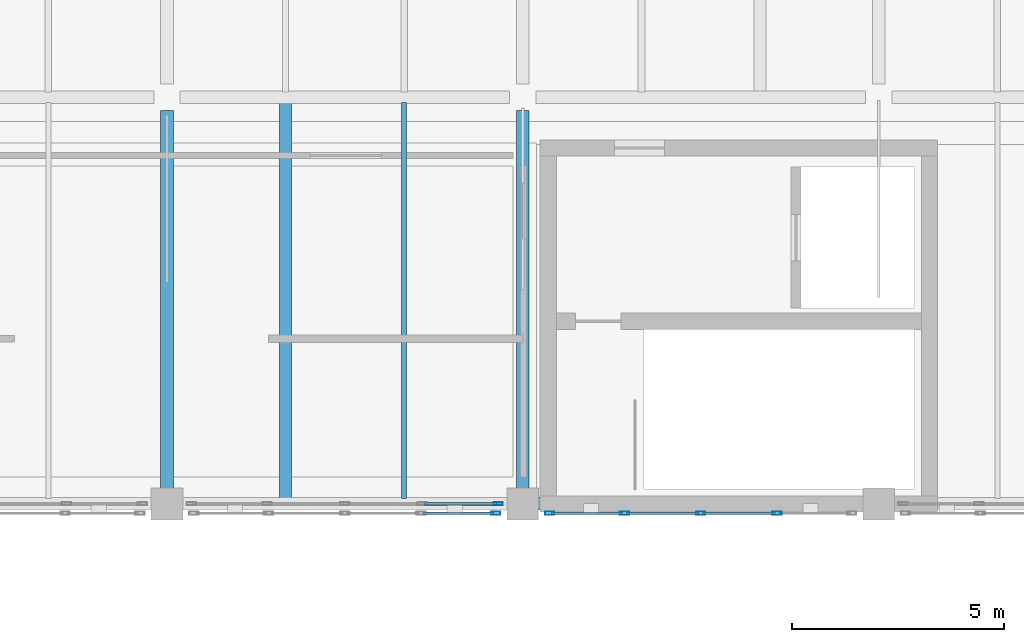
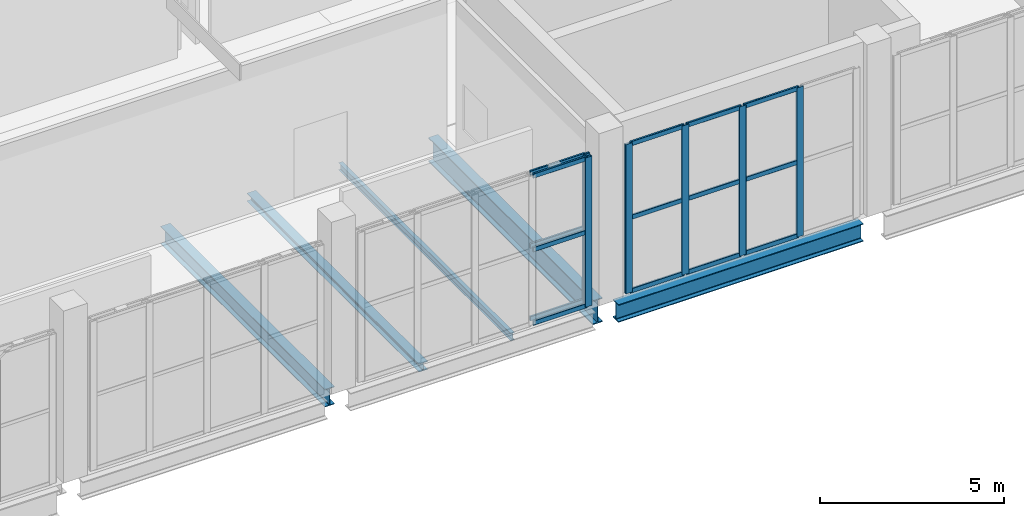
# One storey, part 9 of 49: 21 members, 5 beams, 3 elements without a shape of their own.
"""IFC4 building model written with IfcOpenShell, lengths in metres."""

import ifcopenshell
import ifcopenshell.guid

model = None  # the IFC model being written
_history = None  # IfcOwnerHistory: only IFC2X3 demands one
_inside = {}  # id of a spatial element -> (the spatial element, [elements in it])
_under = {}  # id of a project, library or spatial element -> (it, [spatial elements below it])
_declared = {}  # id of a project -> (the project, [libraries it declares])
_typed = {}  # id of a type object -> (the type object, [elements of that type])
_made_of = {}  # id of a material, layer set ... -> (it, [elements and type objects made of it])


def new_model(schema):
    """Start an empty IFC model of exactly this schema.

    Asked for "IFC4X3", IfcOpenShell would pick the latest addendum, in which some entities
    have other attributes; the version numbers below select the first issue.
    IFC2X3 requires an IfcOwnerHistory on every rooted entity: one is made here for all.
    """
    global model, _history
    if schema == "IFC4X3":
        model = ifcopenshell.file(schema_version=(4, 3, 0, 0))
    else:
        model = ifcopenshell.file(schema=schema)
    _inside.clear()
    _under.clear()
    _declared.clear()
    _typed.clear()
    _made_of.clear()
    _history = None
    if model.schema == "IFC2X3":
        org = make("IfcOrganization", Name="unknown")
        user = make(
            "IfcPersonAndOrganization",
            ThePerson=make("IfcPerson", FamilyName="unknown"),
            TheOrganization=org,
        )
        app = make(
            "IfcApplication",
            ApplicationDeveloper=org,
            Version="unknown",
            ApplicationFullName="unknown",
            ApplicationIdentifier="unknown",
        )
        _history = make(
            "IfcOwnerHistory",
            OwningUser=user,
            OwningApplication=app,
            ChangeAction="ADDED",
            CreationDate=0,
        )
    return model


def make(cls, **values):
    """One entity of the class cls with the attributes given. An attribute that is None is left unset."""
    return model.create_entity(
        cls, **{name: value for name, value in values.items() if value is not None}
    )


def rooted(cls, **values):
    """An entity with a GlobalId (a new one), such as an element, a storey or a relation."""
    return make(cls, GlobalId=ifcopenshell.guid.new(), OwnerHistory=_history, **values)


def si_unit(unit_type, name, prefix=None):
    """IfcSIUnit, for example si_unit("LENGTHUNIT", "METRE", prefix="MILLI")."""
    return make("IfcSIUnit", UnitType=unit_type, Prefix=prefix, Name=name)


def assignment(units):
    """IfcUnitAssignment: the units of a project."""
    return None if units is None else make("IfcUnitAssignment", Units=units)


def point(xyz):
    """IfcCartesianPoint."""
    return None if xyz is None else make("IfcCartesianPoint", Coordinates=xyz)


def direction(xyz):
    """IfcDirection."""
    return None if xyz is None else make("IfcDirection", DirectionRatios=xyz)


def frame(location, z_axis=None, x_axis=None):
    """IfcAxis2Placement3D, a coordinate frame: its origin and axes. An axis left out is left unset."""
    return make(
        "IfcAxis2Placement3D",
        Location=point(location),
        Axis=direction(z_axis),
        RefDirection=direction(x_axis),
    )


def frame_2d(location, x_axis=None):
    """IfcAxis2Placement2D, a coordinate frame in the plane: its origin and x axis."""
    return make(
        "IfcAxis2Placement2D", Location=point(location), RefDirection=direction(x_axis)
    )


def origin():
    """The frame at (0, 0, 0) with its axes left unset."""
    return frame((0.0, 0.0, 0.0))


def origin_2d():
    """The frame at (0, 0) in the plane with its x axis left unset."""
    return frame_2d((0.0, 0.0))


def place(relative_to, where):
    """IfcLocalPlacement: puts the frame where relative to a parent placement (None: the world)."""
    return make(
        "IfcLocalPlacement", PlacementRelTo=relative_to, RelativePlacement=where
    )


def context(
    kind, dimensions, precision=None, world=None, true_north=None, identifier=None
):
    """IfcGeometricRepresentationContext, for example the 3D "Model" context."""
    return make(
        "IfcGeometricRepresentationContext",
        ContextIdentifier=identifier,
        ContextType=kind,
        CoordinateSpaceDimension=dimensions,
        Precision=precision,
        WorldCoordinateSystem=world,
        TrueNorth=true_north,
    )


def subcontext(parent, identifier, kind, view, scale=None):
    """IfcGeometricRepresentationSubContext, for example "Body" below "Model"."""
    return make(
        "IfcGeometricRepresentationSubContext",
        ContextIdentifier=identifier,
        ContextType=kind,
        ParentContext=parent,
        TargetScale=scale,
        TargetView=view,
    )


def project(units=None, contexts=None):
    """IfcProject with its units and contexts."""
    return rooted(
        "IfcProject",
        Name="project",
        RepresentationContexts=contexts,
        UnitsInContext=assignment(units),
    )


def spatial(cls, under=None, at=None, **own):
    """A site, building, storey or space (cls), placed at a placement, below another one or the project."""
    s = rooted(cls, ObjectPlacement=at, **own)
    if under is not None:
        _under.setdefault(under.id(), (under, []))[1].append(s)
    return s


def profile(cls, at=None, kind="AREA", **sizes):
    """A parametric profile (cls). Its sizes go by their IFC names, for example OverallWidth=200.0."""
    return make(cls, ProfileType=kind, Position=at, **sizes)


def hollow_rectangle(**sizes):
    """IfcRectangleHollowProfileDef."""
    return profile("IfcRectangleHollowProfileDef", **sizes)


def i_section(**sizes):
    """IfcIShapeProfileDef."""
    return profile("IfcIShapeProfileDef", **sizes)


def extrude(swept, where, along, depth):
    """IfcExtrudedAreaSolid: the profile swept, set in the frame where, extruded along a direction by depth."""
    return make(
        "IfcExtrudedAreaSolid",
        SweptArea=swept,
        Position=where,
        ExtrudedDirection=direction(along),
        Depth=depth,
    )


def shape(context_of_items, identifier, shape_type, items):
    """IfcShapeRepresentation: the items that make up one representation, for example the "Body"."""
    return make(
        "IfcShapeRepresentation",
        ContextOfItems=context_of_items,
        RepresentationIdentifier=identifier,
        RepresentationType=shape_type,
        Items=items,
    )


def material(Name=None, Category=None):
    """IfcMaterial."""
    return make("IfcMaterial", Name=Name, Category=Category)


def layer(
    of_material, thickness, ventilated=None, Name=None, Category=None, Priority=None
):
    """IfcMaterialLayer: one layer of a wall or slab, of a material (None: an air gap)."""
    return make(
        "IfcMaterialLayer",
        Material=of_material,
        LayerThickness=thickness,
        IsVentilated=ventilated,
        Name=Name,
        Category=Category,
        Priority=Priority,
    )


def layer_set(layers, Name=None):
    """IfcMaterialLayerSet."""
    return make("IfcMaterialLayerSet", MaterialLayers=layers, LayerSetName=Name)


def material_profile(
    of_material, cross_section, Name=None, Category=None, Priority=None
):
    """IfcMaterialProfile: a cross section and its material."""
    return make(
        "IfcMaterialProfile",
        Name=Name,
        Material=of_material,
        Profile=cross_section,
        Priority=Priority,
        Category=Category,
    )


def profile_set(profiles, Name=None, composite=None):
    """IfcMaterialProfileSet."""
    return make(
        "IfcMaterialProfileSet",
        Name=Name,
        MaterialProfiles=profiles,
        CompositeProfile=composite,
    )


def made_of(thing, what):
    """Note that an element or type object is made of a material, layer set ...; save() writes the relation."""
    if what is not None:
        _made_of.setdefault(what.id(), (what, []))[1].append(thing)
    return thing


def type_object(cls, material=None, **own):
    """A type object (cls), such as IfcWallType, which elements share."""
    return made_of(rooted(cls, **own), material)


def element(
    cls,
    number,
    at=None,
    inside=None,
    cuts=None,
    type_object=None,
    material=None,
    context=None,
    identifier="Body",
    shape_type=None,
    held_by="IfcProductDefinitionShape",
    body=None,
    shapes=None,
    **own,
):
    """One element of the class cls, such as IfcWall. Its Tag is "e" and its number.

    at: its placement. inside: the storey or other place that contains it. cuts: it is an
    opening in that element (IfcRelVoidsElement). A single representation is given by context,
    identifier, shape_type and body (its items); several are given by shapes. held_by: the class
    of the entity that holds the representations. save() writes the other relations.
    """
    e = rooted(cls, Tag="e%d" % number, ObjectPlacement=at, **own)
    if body is not None:
        shapes = [shape(context, identifier, shape_type, body)]
    if shapes is not None:
        e.Representation = make(held_by, Representations=shapes)
    if inside is not None:
        _inside.setdefault(inside.id(), (inside, []))[1].append(e)
    if cuts is not None:
        rooted(
            "IfcRelVoidsElement", RelatingBuildingElement=cuts, RelatedOpeningElement=e
        )
    if type_object is not None:
        _typed.setdefault(type_object.id(), (type_object, []))[1].append(e)
    return made_of(e, material)


def aggregate(whole, parts):
    """IfcRelAggregates: a whole, such as a stair, and the parts it consists of."""
    return rooted("IfcRelAggregates", RelatingObject=whole, RelatedObjects=parts)


def save(model, path):
    """Write the relations noted so far, then the file.

    IfcRelAggregates (storeys below a building ...), IfcRelContainedInSpatialStructure (elements
    in a storey), IfcRelDefinesByType, IfcRelAssociatesMaterial and IfcRelDeclares: one each for
    every whole, place, type object, material and project.
    """
    for whole, parts in _under.values():
        aggregate(whole, parts)
    for where, things in _inside.values():
        rooted(
            "IfcRelContainedInSpatialStructure",
            RelatedElements=things,
            RelatingStructure=where,
        )
    for kind, things in _typed.values():
        rooted("IfcRelDefinesByType", RelatedObjects=things, RelatingType=kind)
    for what, things in _made_of.values():
        rooted("IfcRelAssociatesMaterial", RelatedObjects=things, RelatingMaterial=what)
    for by, libraries in _declared.values():
        rooted("IfcRelDeclares", RelatingContext=by, RelatedDefinitions=libraries)
    model.write(path)


model = new_model("IFC4")

# Units and contexts
model_context = context("Model", 3, precision=1e-05, world=origin(), true_north=direction((0.0, 1.0)))
body_context = subcontext(model_context, "Body", "Model", "MODEL_VIEW")
ifc_project = project(units=[si_unit("LENGTHUNIT", "METRE"), si_unit("AREAUNIT", "SQUARE_METRE"), si_unit("VOLUMEUNIT", "CUBIC_METRE"), si_unit("PLANEANGLEUNIT", "RADIAN"), si_unit("MASSUNIT", "GRAM", prefix="KILO")], contexts=[model_context])

# Site, building, storey
site_placement = place(None, origin())
site = spatial("IfcSite", under=ifc_project, at=site_placement, CompositionType="ELEMENT")
building_placement = place(site_placement, origin())
building = spatial("IfcBuilding", under=site, at=building_placement, Name="Zulmaris Art Gallery", CompositionType="ELEMENT")
storey_placement = place(building_placement, frame((0.0, 0.0, 20.699951171875)))
storey = spatial("IfcBuildingStorey", under=building, at=storey_placement, Name="L04", CompositionType="ELEMENT", Elevation=20.699951171875)

# Beams
ifc_material_1 = material(Name="Steel S355J2", Category="steel")
ifc_material_profile_1 = material_profile(ifc_material_1, i_section(OverallWidth=0.300048828125, OverallDepth=0.590087890625, WebThickness=0.012939453125, FlangeThickness=0.02490234375, FilletRadius=0.027099609375, at=origin_2d()), Name="HEA 600")
ifc_profile_set_1 = profile_set([ifc_material_profile_1], Name="Steel S355J2")
beam_type_1 = type_object("IfcBeamType", Name="BEAM-BM12", PredefinedType="BEAM", material=ifc_profile_set_1)
beam_1_placement = place(storey_placement, frame((66.360107421875, 21.60009765625, -0.655029296875), z_axis=(1.0, 0.0, 0.0), x_axis=(0.0, 1.0, 0.0)))
element("IfcBeam", 1, at=beam_1_placement, inside=storey, type_object=beam_type_1, Name="L04 X-girder (66.0..74.4, y=21.6)", PredefinedType="BEAM", context=body_context, shape_type="SweptSolid", body=[
    extrude(i_section(OverallWidth=0.300048828125, OverallDepth=0.590087890625, WebThickness=0.012939453125, FlangeThickness=0.02490234375, FilletRadius=0.027099609375, at=origin_2d()), origin(), (0.0, 0.0, 1.0), 7.679931640625),
])
beam_2_placement = place(storey_placement, frame((57.60009765625, 21.9599609375, -0.655029296875), z_axis=(0.0, 1.0, 0.0), x_axis=(-1.0, 0.0, 0.0)))
element("IfcBeam", 2, at=beam_2_placement, inside=storey, type_object=beam_type_1, Name="L04 Y-girder (x=57.6, 21.6..31.2)", PredefinedType="BEAM", context=body_context, shape_type="SweptSolid", body=[
    extrude(i_section(OverallWidth=0.300048828125, OverallDepth=0.590087890625, WebThickness=0.012939453125, FlangeThickness=0.02490234375, FilletRadius=0.027099609375, at=origin_2d()), origin(), (0.0, 0.0, 1.0), 8.929931640625),
])
ifc_material_profile_2 = material_profile(ifc_material_1, i_section(OverallWidth=0.300048828125, OverallDepth=0.800048828125, WebThickness=0.017578125, FlangeThickness=0.032958984375, FilletRadius=0.030029296875, at=origin_2d()), Name="HEB 800")
ifc_profile_set_2 = profile_set([ifc_material_profile_2], Name="Steel S355J2")
beam_type_2 = type_object("IfcBeamType", Name="BEAM-BM17", PredefinedType="BEAM", material=ifc_profile_set_2)
beam_3_placement = place(storey_placement, frame((66.0, 21.9599609375, -0.760009765625), z_axis=(0.0, 1.0, 0.0), x_axis=(-1.0, 0.0, 0.0)))
element("IfcBeam", 3, at=beam_3_placement, inside=storey, type_object=beam_type_2, Name="L04 Y-girder (x=66.0, 21.6..31.2)", PredefinedType="BEAM", context=body_context, shape_type="SweptSolid", body=[
    extrude(i_section(OverallWidth=0.300048828125, OverallDepth=0.800048828125, WebThickness=0.017578125, FlangeThickness=0.032958984375, FilletRadius=0.030029296875, at=origin_2d()), origin(), (0.0, 0.0, 1.0), 8.929931640625),
])
ifc_material_profile_3 = material_profile(ifc_material_1, i_section(OverallWidth=0.1201171875, OverallDepth=0.239990234375, WebThickness=0.006103515625, FlangeThickness=0.009765625, FilletRadius=0.014892578125, at=origin_2d()), Name="IPE 240")
ifc_profile_set_3 = profile_set([ifc_material_profile_3], Name="Steel S355J2")
beam_type_3 = type_object("IfcBeamType", Name="BEAM-JS01", PredefinedType="JOIST", material=ifc_profile_set_3)
beam_4_placement = place(storey_placement, frame((63.199951171875, 21.72509765625, -0.47998046875), z_axis=(0.0, 1.0, 0.0), x_axis=(-1.0, 0.0, 0.0)))
element("IfcBeam", 4, at=beam_4_placement, inside=storey, type_object=beam_type_3, Name="L04 secondary joist at x=63.2", PredefinedType="JOIST", context=body_context, shape_type="SweptSolid", body=[
    extrude(i_section(OverallWidth=0.1201171875, OverallDepth=0.239990234375, WebThickness=0.006103515625, FlangeThickness=0.009765625, FilletRadius=0.014892578125, at=origin_2d()), origin(), (0.0, 0.0, 1.0), 9.349853515625),
])
ifc_material_profile_4 = material_profile(ifc_material_1, i_section(OverallWidth=0.280029296875, OverallDepth=0.27001953125, WebThickness=0.008056640625, FlangeThickness=0.012939453125, FilletRadius=0.02392578125, at=origin_2d()), Name="HEA 280")
ifc_profile_set_4 = profile_set([ifc_material_profile_4], Name="Steel S355J2")
beam_type_4 = type_object("IfcBeamType", Name="BEAM-JS04", PredefinedType="JOIST", material=ifc_profile_set_4)
beam_5_placement = place(storey_placement, frame((60.39990234375, 21.72509765625, -0.494873046875), z_axis=(0.0, 1.0, 0.0), x_axis=(-1.0, 0.0, 0.0)))
element("IfcBeam", 5, at=beam_5_placement, inside=storey, type_object=beam_type_4, Name="L04 secondary joist at x=60.4", PredefinedType="JOIST", context=body_context, shape_type="SweptSolid", body=[
    extrude(i_section(OverallWidth=0.280029296875, OverallDepth=0.27001953125, WebThickness=0.008056640625, FlangeThickness=0.012939453125, FilletRadius=0.02392578125, at=origin_2d()), origin(), (0.0, 0.0, 1.0), 9.349853515625),
])

# Curtain wall, member
ifc_material_2 = material(Name="Unitised Low-E Gallery Curtain Wall", Category="aluminium")
ifc_layer_1 = layer(ifc_material_2, 0.179931640625)
ifc_layer_set_1 = layer_set([ifc_layer_1], Name="Unitised Low-E Gallery Curtain Wall")
curtain_wall_type_1 = type_object("IfcCurtainWallType", Name="CW-CW01", PredefinedType="NOTDEFINED", material=ifc_layer_set_1)
curtain_wall_1_placement = place(storey_placement, origin())
curtain_wall_1 = element("IfcCurtainWall", 6, at=curtain_wall_1_placement, inside=storey, type_object=curtain_wall_type_1, Name="L04 curtain wall 30", PredefinedType="NOTDEFINED")
ifc_material_3 = material(Name="Anodised Bronze Aluminium", Category="aluminium")
ifc_material_profile_5 = material_profile(ifc_material_3, hollow_rectangle(XDim=0.074951171875, YDim=0.219970703125, WallThickness=0.0048828125, InnerFilletRadius=0.007568359375, OuterFilletRadius=0.012451171875, at=origin_2d()), Name="ALU 75x220x5")
ifc_profile_set_5 = profile_set([ifc_material_profile_5], Name="Anodised Bronze Aluminium")
member_type_1 = type_object("IfcMemberType", Name="CWMUL-02", PredefinedType="MULLION", material=ifc_profile_set_5)
member_1_placement = place(storey_placement, frame((65.422607421875, 21.60009765625, 0.0), z_axis=(0.0, 0.0, 1.0), x_axis=(0.0, 1.0, 0.0)))
member_1 = element("IfcMember", 7, at=member_1_placement, type_object=member_type_1, Name="CW01 mullion 5", PredefinedType="MULLION", context=body_context, shape_type="SweptSolid", body=[
    extrude(hollow_rectangle(XDim=0.074951171875, YDim=0.219970703125, WallThickness=0.0048828125, InnerFilletRadius=0.007568359375, OuterFilletRadius=0.012451171875, at=origin_2d()), origin(), (0.0, 0.0, 1.0), 4.900146484375),
])

ifc_material_4 = material(Name="Perforated Bronze Art Deco Mashrabiya Screen", Category="aluminium")
ifc_layer_2 = layer(ifc_material_4, 0.179931640625)
ifc_layer_set_2 = layer_set([ifc_layer_2], Name="Perforated Bronze Art Deco Mashrabiya Screen")
curtain_wall_type_2 = type_object("IfcCurtainWallType", Name="CW-CW06", PredefinedType="USERDEFINED", material=ifc_layer_set_2)
curtain_wall_2_placement = place(storey_placement, origin())
curtain_wall_2 = element("IfcCurtainWall", 8, at=curtain_wall_2_placement, inside=storey, type_object=curtain_wall_type_2, Name="L04 Mashrabiya screen 182", ObjectType="MASHRABIYA SCREEN", PredefinedType="USERDEFINED")
member_2_placement = place(storey_placement, frame((65.362548828125, 21.3798828125, 0.0), z_axis=(0.0, 0.0, 1.0), x_axis=(0.0, 1.0, 0.0)))
member_2 = element("IfcMember", 9, at=member_2_placement, type_object=member_type_1, Name="CW06 mullion 5", PredefinedType="MULLION", context=body_context, shape_type="SweptSolid", body=[
    extrude(hollow_rectangle(XDim=0.074951171875, YDim=0.219970703125, WallThickness=0.0048828125, InnerFilletRadius=0.007568359375, OuterFilletRadius=0.012451171875, at=origin_2d()), origin(), (0.0, 0.0, 1.0), 4.949951171875),
])

# Curtain wall, members
curtain_wall_3_placement = place(storey_placement, origin())
curtain_wall_3 = element("IfcCurtainWall", 10, at=curtain_wall_3_placement, inside=storey, type_object=curtain_wall_type_2, Name="L04 Mashrabiya screen 183", ObjectType="MASHRABIYA SCREEN", PredefinedType="USERDEFINED")
member_3_placement = place(storey_placement, frame((66.637451171875, 21.3798828125, 0.0), z_axis=(0.0, 0.0, 1.0), x_axis=(0.0, 1.0, 0.0)))
member_3 = element("IfcMember", 11, at=member_3_placement, type_object=member_type_1, Name="CW06 mullion 1", PredefinedType="MULLION", context=body_context, shape_type="SweptSolid", body=[
    extrude(hollow_rectangle(XDim=0.074951171875, YDim=0.219970703125, WallThickness=0.0048828125, InnerFilletRadius=0.007568359375, OuterFilletRadius=0.012451171875, at=origin_2d()), origin(), (0.0, 0.0, 1.0), 4.949951171875),
])
member_4_placement = place(storey_placement, frame((68.39990234375, 21.3798828125, 0.0), z_axis=(0.0, 0.0, 1.0), x_axis=(0.0, 1.0, 0.0)))
member_4 = element("IfcMember", 12, at=member_4_placement, type_object=member_type_1, Name="CW06 mullion 2", PredefinedType="MULLION", context=body_context, shape_type="SweptSolid", body=[
    extrude(hollow_rectangle(XDim=0.074951171875, YDim=0.219970703125, WallThickness=0.0048828125, InnerFilletRadius=0.007568359375, OuterFilletRadius=0.012451171875, at=origin_2d()), origin(), (0.0, 0.0, 1.0), 4.949951171875),
])
member_5_placement = place(storey_placement, frame((70.199951171875, 21.3798828125, 0.0), z_axis=(0.0, 0.0, 1.0), x_axis=(0.0, 1.0, 0.0)))
member_5 = element("IfcMember", 13, at=member_5_placement, type_object=member_type_1, Name="CW06 mullion 3", PredefinedType="MULLION", context=body_context, shape_type="SweptSolid", body=[
    extrude(hollow_rectangle(XDim=0.074951171875, YDim=0.219970703125, WallThickness=0.0048828125, InnerFilletRadius=0.007568359375, OuterFilletRadius=0.012451171875, at=origin_2d()), origin(), (0.0, 0.0, 1.0), 4.949951171875),
])
member_6_placement = place(storey_placement, frame((72.0, 21.3798828125, 0.0), z_axis=(0.0, 0.0, 1.0), x_axis=(0.0, 1.0, 0.0)))
member_6 = element("IfcMember", 14, at=member_6_placement, type_object=member_type_1, Name="CW06 mullion 4", PredefinedType="MULLION", context=body_context, shape_type="SweptSolid", body=[
    extrude(hollow_rectangle(XDim=0.074951171875, YDim=0.219970703125, WallThickness=0.0048828125, InnerFilletRadius=0.007568359375, OuterFilletRadius=0.012451171875, at=origin_2d()), origin(), (0.0, 0.0, 1.0), 4.949951171875),
])

# Member
ifc_material_profile_6 = material_profile(ifc_material_3, hollow_rectangle(XDim=0.06494140625, YDim=0.14990234375, WallThickness=0.00390625, InnerFilletRadius=0.006103515625, OuterFilletRadius=0.010009765625, at=origin_2d()), Name="ALU 65x150x4")
ifc_profile_set_6 = profile_set([ifc_material_profile_6], Name="Anodised Bronze Aluminium")
member_type_2 = type_object("IfcMemberType", Name="CWTRN-01", PredefinedType="USERDEFINED", material=ifc_profile_set_6)
member_7_placement = place(storey_placement, frame((63.66748046875, 21.60009765625, 0.03759765625), z_axis=(1.0, 0.0, 0.0), x_axis=(0.0, 1.0, 0.0)))
member_7 = element("IfcMember", 15, at=member_7_placement, type_object=member_type_2, Name="CW01 transom 4.1", ObjectType="TRANSOM", PredefinedType="USERDEFINED", context=body_context, shape_type="SweptSolid", body=[
    extrude(hollow_rectangle(XDim=0.06494140625, YDim=0.14990234375, WallThickness=0.00390625, InnerFilletRadius=0.006103515625, OuterFilletRadius=0.010009765625, at=origin_2d()), origin(), (0.0, 0.0, 1.0), 1.717529296875),
])

member_8_placement = place(storey_placement, frame((63.66748046875, 21.60009765625, 2.449951171875), z_axis=(1.0, 0.0, 0.0), x_axis=(0.0, 1.0, 0.0)))
member_8 = element("IfcMember", 16, at=member_8_placement, type_object=member_type_2, Name="CW01 transom 4.2", ObjectType="TRANSOM", PredefinedType="USERDEFINED", context=body_context, shape_type="SweptSolid", body=[
    extrude(hollow_rectangle(XDim=0.06494140625, YDim=0.14990234375, WallThickness=0.00390625, InnerFilletRadius=0.006103515625, OuterFilletRadius=0.010009765625, at=origin_2d()), origin(), (0.0, 0.0, 1.0), 1.717529296875),
])

member_9_placement = place(storey_placement, frame((63.66748046875, 21.60009765625, 4.862548828125), z_axis=(1.0, 0.0, 0.0), x_axis=(0.0, 1.0, 0.0)))
member_9 = element("IfcMember", 17, at=member_9_placement, type_object=member_type_2, Name="CW01 transom 4.3", ObjectType="TRANSOM", PredefinedType="USERDEFINED", context=body_context, shape_type="SweptSolid", body=[
    extrude(hollow_rectangle(XDim=0.06494140625, YDim=0.14990234375, WallThickness=0.00390625, InnerFilletRadius=0.006103515625, OuterFilletRadius=0.010009765625, at=origin_2d()), origin(), (0.0, 0.0, 1.0), 1.717529296875),
])

aggregate(curtain_wall_1, [member_1, member_7, member_8, member_9])

member_10_placement = place(storey_placement, frame((63.637451171875, 21.3798828125, 0.03759765625), z_axis=(1.0, 0.0, 0.0), x_axis=(0.0, 1.0, 0.0)))
member_10 = element("IfcMember", 18, at=member_10_placement, type_object=member_type_2, Name="CW06 transom 4.1", ObjectType="TRANSOM", PredefinedType="USERDEFINED", context=body_context, shape_type="SweptSolid", body=[
    extrude(hollow_rectangle(XDim=0.06494140625, YDim=0.14990234375, WallThickness=0.00390625, InnerFilletRadius=0.006103515625, OuterFilletRadius=0.010009765625, at=origin_2d()), origin(), (0.0, 0.0, 1.0), 1.6875),
])

member_11_placement = place(storey_placement, frame((63.637451171875, 21.3798828125, 2.47509765625), z_axis=(1.0, 0.0, 0.0), x_axis=(0.0, 1.0, 0.0)))
member_11 = element("IfcMember", 19, at=member_11_placement, type_object=member_type_2, Name="CW06 transom 4.2", ObjectType="TRANSOM", PredefinedType="USERDEFINED", context=body_context, shape_type="SweptSolid", body=[
    extrude(hollow_rectangle(XDim=0.06494140625, YDim=0.14990234375, WallThickness=0.00390625, InnerFilletRadius=0.006103515625, OuterFilletRadius=0.010009765625, at=origin_2d()), origin(), (0.0, 0.0, 1.0), 1.6875),
])

member_12_placement = place(storey_placement, frame((63.637451171875, 21.3798828125, 4.91259765625), z_axis=(1.0, 0.0, 0.0), x_axis=(0.0, 1.0, 0.0)))
member_12 = element("IfcMember", 20, at=member_12_placement, type_object=member_type_2, Name="CW06 transom 4.3", ObjectType="TRANSOM", PredefinedType="USERDEFINED", context=body_context, shape_type="SweptSolid", body=[
    extrude(hollow_rectangle(XDim=0.06494140625, YDim=0.14990234375, WallThickness=0.00390625, InnerFilletRadius=0.006103515625, OuterFilletRadius=0.010009765625, at=origin_2d()), origin(), (0.0, 0.0, 1.0), 1.6875),
])

aggregate(curtain_wall_2, [member_2, member_10, member_11, member_12])

member_13_placement = place(storey_placement, frame((66.675048828125, 21.3798828125, 0.03759765625), z_axis=(1.0, 0.0, 0.0), x_axis=(0.0, 1.0, 0.0)))
member_13 = element("IfcMember", 21, at=member_13_placement, type_object=member_type_2, Name="CW06 transom 1.1", ObjectType="TRANSOM", PredefinedType="USERDEFINED", context=body_context, shape_type="SweptSolid", body=[
    extrude(hollow_rectangle(XDim=0.06494140625, YDim=0.14990234375, WallThickness=0.00390625, InnerFilletRadius=0.006103515625, OuterFilletRadius=0.010009765625, at=origin_2d()), origin(), (0.0, 0.0, 1.0), 1.6875),
])

member_14_placement = place(storey_placement, frame((66.675048828125, 21.3798828125, 2.47509765625), z_axis=(1.0, 0.0, 0.0), x_axis=(0.0, 1.0, 0.0)))
member_14 = element("IfcMember", 22, at=member_14_placement, type_object=member_type_2, Name="CW06 transom 1.2", ObjectType="TRANSOM", PredefinedType="USERDEFINED", context=body_context, shape_type="SweptSolid", body=[
    extrude(hollow_rectangle(XDim=0.06494140625, YDim=0.14990234375, WallThickness=0.00390625, InnerFilletRadius=0.006103515625, OuterFilletRadius=0.010009765625, at=origin_2d()), origin(), (0.0, 0.0, 1.0), 1.6875),
])

member_15_placement = place(storey_placement, frame((66.675048828125, 21.3798828125, 4.91259765625), z_axis=(1.0, 0.0, 0.0), x_axis=(0.0, 1.0, 0.0)))
member_15 = element("IfcMember", 23, at=member_15_placement, type_object=member_type_2, Name="CW06 transom 1.3", ObjectType="TRANSOM", PredefinedType="USERDEFINED", context=body_context, shape_type="SweptSolid", body=[
    extrude(hollow_rectangle(XDim=0.06494140625, YDim=0.14990234375, WallThickness=0.00390625, InnerFilletRadius=0.006103515625, OuterFilletRadius=0.010009765625, at=origin_2d()), origin(), (0.0, 0.0, 1.0), 1.6875),
])

member_16_placement = place(storey_placement, frame((68.4375, 21.3798828125, 0.03759765625), z_axis=(1.0, 0.0, 0.0), x_axis=(0.0, 1.0, 0.0)))
member_16 = element("IfcMember", 24, at=member_16_placement, type_object=member_type_2, Name="CW06 transom 2.1", ObjectType="TRANSOM", PredefinedType="USERDEFINED", context=body_context, shape_type="SweptSolid", body=[
    extrude(hollow_rectangle(XDim=0.06494140625, YDim=0.14990234375, WallThickness=0.00390625, InnerFilletRadius=0.006103515625, OuterFilletRadius=0.010009765625, at=origin_2d()), origin(), (0.0, 0.0, 1.0), 1.72509765625),
])

member_17_placement = place(storey_placement, frame((68.4375, 21.3798828125, 2.47509765625), z_axis=(1.0, 0.0, 0.0), x_axis=(0.0, 1.0, 0.0)))
member_17 = element("IfcMember", 25, at=member_17_placement, type_object=member_type_2, Name="CW06 transom 2.2", ObjectType="TRANSOM", PredefinedType="USERDEFINED", context=body_context, shape_type="SweptSolid", body=[
    extrude(hollow_rectangle(XDim=0.06494140625, YDim=0.14990234375, WallThickness=0.00390625, InnerFilletRadius=0.006103515625, OuterFilletRadius=0.010009765625, at=origin_2d()), origin(), (0.0, 0.0, 1.0), 1.72509765625),
])

member_18_placement = place(storey_placement, frame((68.4375, 21.3798828125, 4.91259765625), z_axis=(1.0, 0.0, 0.0), x_axis=(0.0, 1.0, 0.0)))
member_18 = element("IfcMember", 26, at=member_18_placement, type_object=member_type_2, Name="CW06 transom 2.3", ObjectType="TRANSOM", PredefinedType="USERDEFINED", context=body_context, shape_type="SweptSolid", body=[
    extrude(hollow_rectangle(XDim=0.06494140625, YDim=0.14990234375, WallThickness=0.00390625, InnerFilletRadius=0.006103515625, OuterFilletRadius=0.010009765625, at=origin_2d()), origin(), (0.0, 0.0, 1.0), 1.72509765625),
])

member_19_placement = place(storey_placement, frame((70.237548828125, 21.3798828125, 0.03759765625), z_axis=(1.0, 0.0, 0.0), x_axis=(0.0, 1.0, 0.0)))
member_19 = element("IfcMember", 27, at=member_19_placement, type_object=member_type_2, Name="CW06 transom 3.1", ObjectType="TRANSOM", PredefinedType="USERDEFINED", context=body_context, shape_type="SweptSolid", body=[
    extrude(hollow_rectangle(XDim=0.06494140625, YDim=0.14990234375, WallThickness=0.00390625, InnerFilletRadius=0.006103515625, OuterFilletRadius=0.010009765625, at=origin_2d()), origin(), (0.0, 0.0, 1.0), 1.724853515625),
])

member_20_placement = place(storey_placement, frame((70.237548828125, 21.3798828125, 2.47509765625), z_axis=(1.0, 0.0, 0.0), x_axis=(0.0, 1.0, 0.0)))
member_20 = element("IfcMember", 28, at=member_20_placement, type_object=member_type_2, Name="CW06 transom 3.2", ObjectType="TRANSOM", PredefinedType="USERDEFINED", context=body_context, shape_type="SweptSolid", body=[
    extrude(hollow_rectangle(XDim=0.06494140625, YDim=0.14990234375, WallThickness=0.00390625, InnerFilletRadius=0.006103515625, OuterFilletRadius=0.010009765625, at=origin_2d()), origin(), (0.0, 0.0, 1.0), 1.724853515625),
])

member_21_placement = place(storey_placement, frame((70.237548828125, 21.3798828125, 4.91259765625), z_axis=(1.0, 0.0, 0.0), x_axis=(0.0, 1.0, 0.0)))
member_21 = element("IfcMember", 29, at=member_21_placement, type_object=member_type_2, Name="CW06 transom 3.3", ObjectType="TRANSOM", PredefinedType="USERDEFINED", context=body_context, shape_type="SweptSolid", body=[
    extrude(hollow_rectangle(XDim=0.06494140625, YDim=0.14990234375, WallThickness=0.00390625, InnerFilletRadius=0.006103515625, OuterFilletRadius=0.010009765625, at=origin_2d()), origin(), (0.0, 0.0, 1.0), 1.724853515625),
])

aggregate(curtain_wall_3, [member_3, member_4, member_5, member_6, member_13, member_14, member_15, member_16, member_17, member_18, member_19, member_20, member_21])

save(model, "model.ifc")
